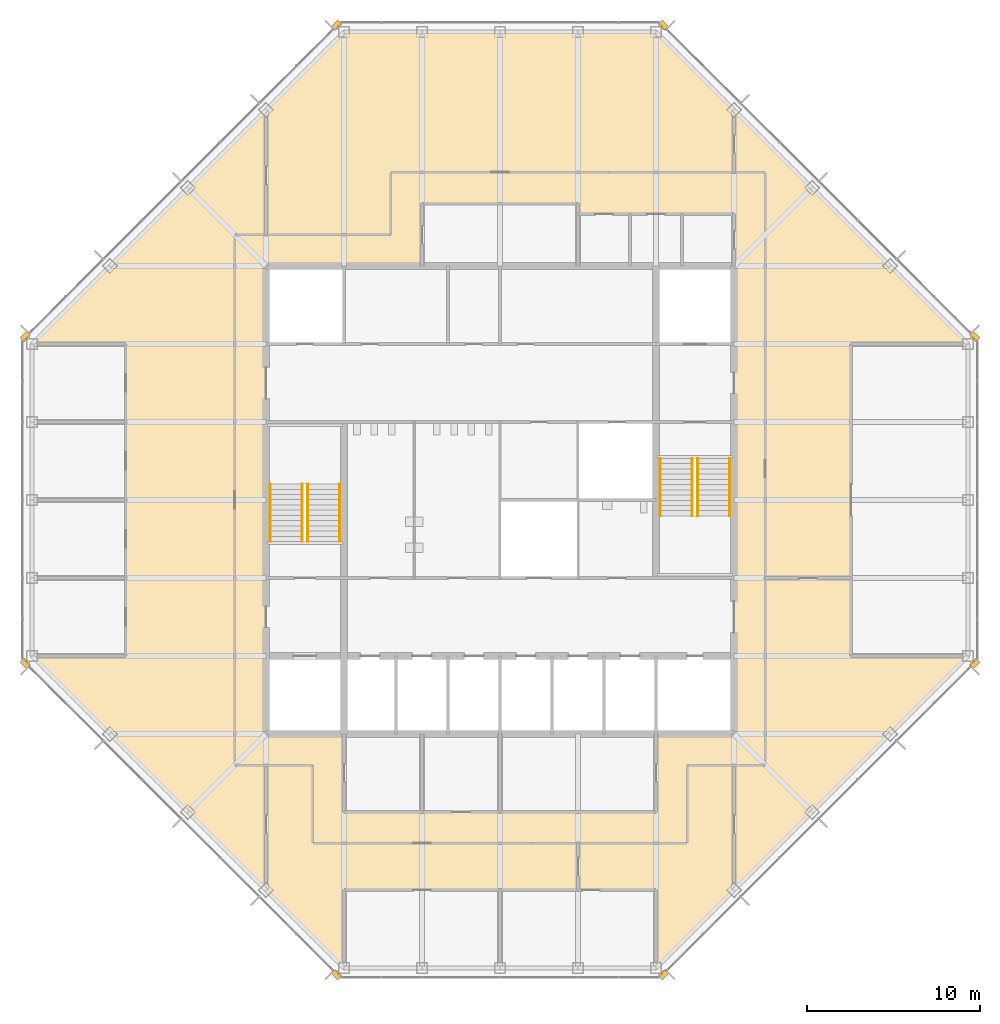
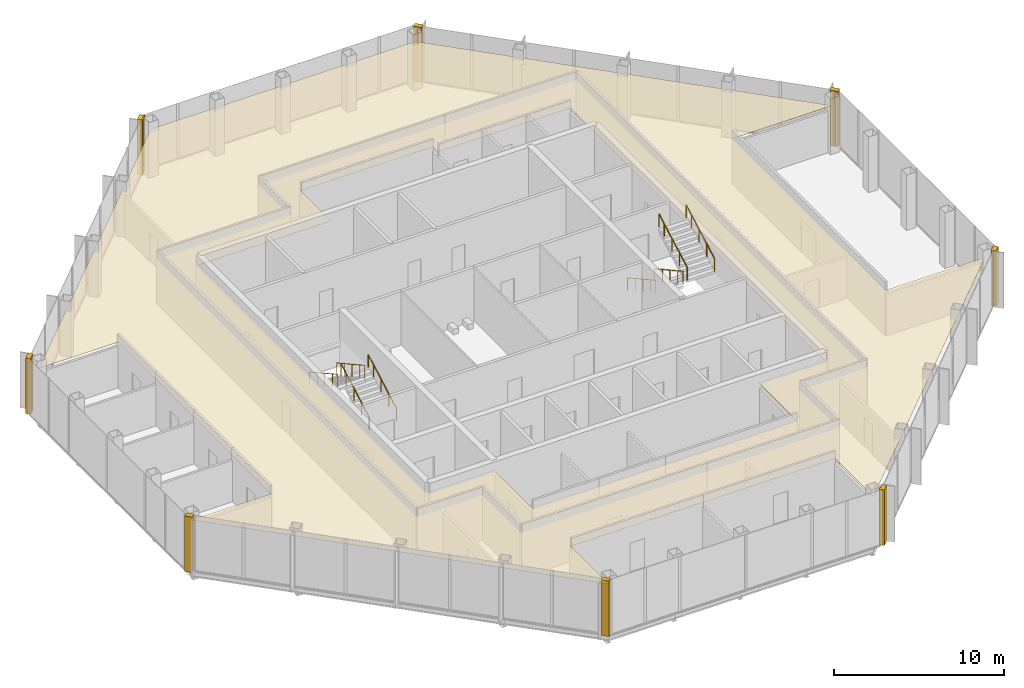
# One storey, part 13 of 14: 9 coverings, 8 railings.
"""IFC4 building model written with IfcOpenShell, lengths in metres."""

from ifc_helpers import new_model, si_unit, direction, frame, origin, origin_2d, place, context, subcontext, project, spatial, polyline, circle, outline, extrude, material, layer, layer_set, type_object, element, save


model = new_model("IFC4")

# Units and contexts
model_context = context("Model", 3, precision=1e-05, world=origin(), true_north=direction((0.0, 1.0)))
body_context = subcontext(model_context, "Body", "Model", "MODEL_VIEW")
ifc_project = project(units=[si_unit("LENGTHUNIT", "METRE"), si_unit("AREAUNIT", "SQUARE_METRE"), si_unit("VOLUMEUNIT", "CUBIC_METRE"), si_unit("PLANEANGLEUNIT", "RADIAN"), si_unit("MASSUNIT", "GRAM", prefix="KILO")], contexts=[model_context])

# Site, building, storey
site_placement = place(None, origin())
site = spatial("IfcSite", under=ifc_project, at=site_placement, CompositionType="ELEMENT")
building_placement = place(site_placement, origin())
building = spatial("IfcBuilding", under=site, at=building_placement, Name="Corais Broadcast Tower", CompositionType="ELEMENT")
storey_placement = place(building_placement, frame((0.0, 0.0, 230.60009765625)))
storey = spatial("IfcBuildingStorey", under=building, at=storey_placement, Name="L53", CompositionType="ELEMENT", Elevation=230.60009765625)

# Railings
ifc_material_1 = material(Name="Stainless steel handrail", Category="steel")
railing_type = type_object("IfcRailingType", Name="Handrail 920", PredefinedType="HANDRAIL", material=ifc_material_1)
for number, where, name in (
    (1, (17.75, 24.60009765625, 0.16650390625), "HR1 L53"),
    (2, (15.89990234375, 24.60009765625, 0.16650390625), "HR1 L53"),
):
    element("IfcRailing", number, at=place(storey_placement, frame(where)), inside=storey, type_object=railing_type, Name=name, PredefinedType="HANDRAIL", context=body_context, shape_type="SweptSolid", body=[
        extrude(circle(Radius=0.02392578125, at=origin_2d()), frame((0.0, 0.0, 0.89599609375), z_axis=(0.0, 0.875504475178, 0.483210010185), x_axis=(-1.0, 0.0, 0.0)), (0.0, 0.0, 1.0), 3.79443359375),
        extrude(circle(Radius=0.02099609375, at=origin_2d()), origin(), (0.0, 0.0, 1.0), 0.871826171875),
        extrude(circle(Radius=0.02099609375, at=origin_2d()), frame((0.0, 0.906005859375, 0.5)), (0.0, 0.0, 1.0), 0.871826171875),
        extrude(circle(Radius=0.02099609375, at=origin_2d()), frame((0.0, 1.81201171875, 1.0)), (0.0, 0.0, 1.0), 0.871826171875),
        extrude(circle(Radius=0.02099609375, at=origin_2d()), frame((0.0, 2.718017578125, 1.500244140625)), (0.0, 0.0, 1.0), 0.871826171875),
        extrude(circle(Radius=0.02099609375, at=origin_2d()), frame((0.0, 3.322021484375, 1.83349609375)), (0.0, 0.0, 1.0), 0.871826171875),
    ])
for number, where, name in (
    (3, (13.75, 27.922119140625, 2.16650390625), "HR1 L53"),
    (4, (15.60009765625, 27.922119140625, 2.16650390625), "HR1 L53"),
    (5, (36.25, 29.39990234375, 0.16650390625), "HR1 L53"),
    (6, (38.10009765625, 29.39990234375, 0.16650390625), "HR1 L53"),
):
    element("IfcRailing", number, at=place(storey_placement, frame(where)), inside=storey, type_object=railing_type, Name=name, PredefinedType="HANDRAIL", context=body_context, shape_type="SweptSolid", body=[
        extrude(circle(Radius=0.02392578125, at=origin_2d()), frame((0.0, 0.0, 0.89599609375), z_axis=(0.0, -0.875504475178, 0.483210010185), x_axis=(1.0, 0.0, 0.0)), (0.0, 0.0, 1.0), 3.79443359375),
        extrude(circle(Radius=0.02099609375, at=origin_2d()), origin(), (0.0, 0.0, 1.0), 0.871826171875),
        extrude(circle(Radius=0.02099609375, at=origin_2d()), frame((0.0, -0.906005859375, 0.5)), (0.0, 0.0, 1.0), 0.871826171875),
        extrude(circle(Radius=0.02099609375, at=origin_2d()), frame((0.0, -1.81201171875, 1.0)), (0.0, 0.0, 1.0), 0.871826171875),
        extrude(circle(Radius=0.02099609375, at=origin_2d()), frame((0.0, -2.718017578125, 1.500244140625)), (0.0, 0.0, 1.0), 0.871826171875),
        extrude(circle(Radius=0.02099609375, at=origin_2d()), frame((0.0, -3.322021484375, 1.83349609375)), (0.0, 0.0, 1.0), 0.871826171875),
    ])
for number, where, name in (
    (7, (40.25, 26.077880859375, 2.16650390625), "HR1 L53"),
    (8, (38.39990234375, 26.077880859375, 2.16650390625), "HR1 L53"),
):
    element("IfcRailing", number, at=place(storey_placement, frame(where)), inside=storey, type_object=railing_type, Name=name, PredefinedType="HANDRAIL", context=body_context, shape_type="SweptSolid", body=[
        extrude(circle(Radius=0.02392578125, at=origin_2d()), frame((0.0, 0.0, 0.89599609375), z_axis=(0.0, 0.875504475178, 0.483210010185), x_axis=(-1.0, 0.0, 0.0)), (0.0, 0.0, 1.0), 3.79443359375),
        extrude(circle(Radius=0.02099609375, at=origin_2d()), origin(), (0.0, 0.0, 1.0), 0.871826171875),
        extrude(circle(Radius=0.02099609375, at=origin_2d()), frame((0.0, 0.906005859375, 0.5)), (0.0, 0.0, 1.0), 0.871826171875),
        extrude(circle(Radius=0.02099609375, at=origin_2d()), frame((0.0, 1.81201171875, 1.0)), (0.0, 0.0, 1.0), 0.871826171875),
        extrude(circle(Radius=0.02099609375, at=origin_2d()), frame((0.0, 2.718017578125, 1.500244140625)), (0.0, 0.0, 1.0), 0.871826171875),
        extrude(circle(Radius=0.02099609375, at=origin_2d()), frame((0.0, 3.322021484375, 1.83349609375)), (0.0, 0.0, 1.0), 0.871826171875),
    ])

# Coverings
ifc_material_2 = material(Name="Granite stone cladding", Category="masonry")
ifc_layer_1 = layer(ifc_material_2, 0.324951171875)
ifc_layer_set_1 = layer_set([ifc_layer_1], Name="Granite stone cladding")
covering_type_1 = type_object("IfcCoveringType", Name="Stone corner pier cladding 500x325", PredefinedType="CLADDING", material=ifc_layer_set_1)
covering_1_placement = place(storey_placement, origin())
element("IfcCovering", 9, at=covering_1_placement, inside=storey, type_object=covering_type_1, Name="SP1 stone corner pier L53", PredefinedType="CLADDING", context=body_context, shape_type="SweptSolid", body=[
    extrude(outline(polyline([(17.860595703125, -0.461669921875), (17.7490234375, -0.35009765625), (17.64990234375, -0.35009765625), (17.64990234375, -0.2509765625), (17.507080078125, -0.108154296875), (17.277099609375, -0.337890625), (17.630859375, -0.69140625), (17.860595703125, -0.461669921875)])), origin(), (0.0, 0.0, 1.0), 4.0),
])
covering_2_placement = place(storey_placement, origin())
element("IfcCovering", 10, at=covering_2_placement, inside=storey, type_object=covering_type_1, Name="SP1 stone corner pier L53", PredefinedType="CLADDING", context=body_context, shape_type="SweptSolid", body=[
    extrude(outline(polyline([(-0.35009765625, 17.7490234375), (-0.461669921875, 17.860595703125), (-0.69140625, 17.630859375), (-0.337890625, 17.277099609375), (-0.108154296875, 17.507080078125), (-0.2509765625, 17.64990234375), (-0.35009765625, 17.64990234375), (-0.35009765625, 17.7490234375)])), origin(), (0.0, 0.0, 1.0), 4.0),
])
covering_3_placement = place(storey_placement, origin())
element("IfcCovering", 11, at=covering_3_placement, inside=storey, type_object=covering_type_1, Name="SP1 stone corner pier L53", PredefinedType="CLADDING", context=body_context, shape_type="SweptSolid", body=[
    extrude(outline(polyline([(-0.461669921875, 36.139404296875), (-0.35009765625, 36.2509765625), (-0.35009765625, 36.35009765625), (-0.2509765625, 36.35009765625), (-0.108154296875, 36.492919921875), (-0.337890625, 36.722900390625), (-0.69140625, 36.369140625), (-0.461669921875, 36.139404296875)])), origin(), (0.0, 0.0, 1.0), 4.0),
])
covering_4_placement = place(storey_placement, origin())
element("IfcCovering", 12, at=covering_4_placement, inside=storey, type_object=covering_type_1, Name="SP1 stone corner pier L53", PredefinedType="CLADDING", context=body_context, shape_type="SweptSolid", body=[
    extrude(outline(polyline([(17.7490234375, 54.35009765625), (17.860595703125, 54.461669921875), (17.630859375, 54.69140625), (17.277099609375, 54.337890625), (17.507080078125, 54.108154296875), (17.64990234375, 54.2509765625), (17.64990234375, 54.35009765625), (17.7490234375, 54.35009765625)])), origin(), (0.0, 0.0, 1.0), 4.0),
])
covering_5_placement = place(storey_placement, origin())
element("IfcCovering", 13, at=covering_5_placement, inside=storey, type_object=covering_type_1, Name="SP1 stone corner pier L53", PredefinedType="CLADDING", context=body_context, shape_type="SweptSolid", body=[
    extrude(outline(polyline([(36.139404296875, 54.461669921875), (36.2509765625, 54.35009765625), (36.35009765625, 54.35009765625), (36.35009765625, 54.2509765625), (36.492919921875, 54.108154296875), (36.722900390625, 54.337890625), (36.369140625, 54.69140625), (36.139404296875, 54.461669921875)])), origin(), (0.0, 0.0, 1.0), 4.0),
])
covering_6_placement = place(storey_placement, origin())
element("IfcCovering", 14, at=covering_6_placement, inside=storey, type_object=covering_type_1, Name="SP1 stone corner pier L53", PredefinedType="CLADDING", context=body_context, shape_type="SweptSolid", body=[
    extrude(outline(polyline([(54.35009765625, 36.2509765625), (54.461669921875, 36.139404296875), (54.69140625, 36.369140625), (54.337890625, 36.722900390625), (54.108154296875, 36.492919921875), (54.2509765625, 36.35009765625), (54.35009765625, 36.35009765625), (54.35009765625, 36.2509765625)])), origin(), (0.0, 0.0, 1.0), 4.0),
])
covering_7_placement = place(storey_placement, origin())
element("IfcCovering", 15, at=covering_7_placement, inside=storey, type_object=covering_type_1, Name="SP1 stone corner pier L53", PredefinedType="CLADDING", context=body_context, shape_type="SweptSolid", body=[
    extrude(outline(polyline([(54.461669921875, 17.860595703125), (54.35009765625, 17.7490234375), (54.35009765625, 17.64990234375), (54.2509765625, 17.64990234375), (54.108154296875, 17.507080078125), (54.337890625, 17.277099609375), (54.69140625, 17.630859375), (54.461669921875, 17.860595703125)])), origin(), (0.0, 0.0, 1.0), 4.0),
])
covering_8_placement = place(storey_placement, origin())
element("IfcCovering", 16, at=covering_8_placement, inside=storey, type_object=covering_type_1, Name="SP1 stone corner pier L53", PredefinedType="CLADDING", context=body_context, shape_type="SweptSolid", body=[
    extrude(outline(polyline([(36.2509765625, -0.35009765625), (36.139404296875, -0.461669921875), (36.369140625, -0.69140625), (36.722900390625, -0.337890625), (36.492919921875, -0.108154296875), (36.35009765625, -0.2509765625), (36.35009765625, -0.35009765625), (36.2509765625, -0.35009765625)])), origin(), (0.0, 0.0, 1.0), 4.0),
])
ifc_material_3 = material(Name="Mineral fibre ceiling tile", Category="mineral")
ifc_layer_2 = layer(ifc_material_3, 0.02001953125)
ifc_layer_set_2 = layer_set([ifc_layer_2], Name="Mineral fibre ceiling tile")
covering_type_2 = type_object("IfcCoveringType", Name="Suspended ceiling", PredefinedType="CEILING", material=ifc_layer_set_2)
covering_9_placement = place(storey_placement, frame((0.0, 0.0, 3.219970703125)))
element("IfcCovering", 17, at=covering_9_placement, inside=storey, type_object=covering_type_2, Name="CE1 ceiling L53", PredefinedType="CEILING", context=body_context, shape_type="SweptSolid", body=[
    extrude(outline(polyline([(13.5, 49.5), (13.5, 49.5), (18.0, 54.0), (36.0, 54.0), (54.0, 36.0), (47.25, 36.0), (47.25, 18.0), (54.0, 18.0), (40.500244140625, 4.500244140625), (40.49853515625, 4.49853515625), (40.498291015625, 4.498291015625), (36.0, 0.0), (36.0, 4.5), (18.0, 4.5), (18.0, 0.0), (13.501708984375, 4.498291015625), (13.499755859375, 4.500244140625), (0.0, 18.0), (5.39990234375, 18.0), (5.39990234375, 36.0), (0.0, 36.0), (13.5, 49.5)]), holes=[polyline([(40.5, 43.5), (31.5, 43.5), (31.5, 44.10009765625), (22.5, 44.10009765625), (22.5, 40.5), (13.5, 40.5), (13.5, 13.5), (18.0, 13.5), (18.0, 9.0), (36.0, 9.0), (36.0, 13.5), (40.5, 13.5), (40.5, 43.5)])]), origin(), (0.0, 0.0, 1.0), 0.02001953125),
])

save(model, "model.ifc")
